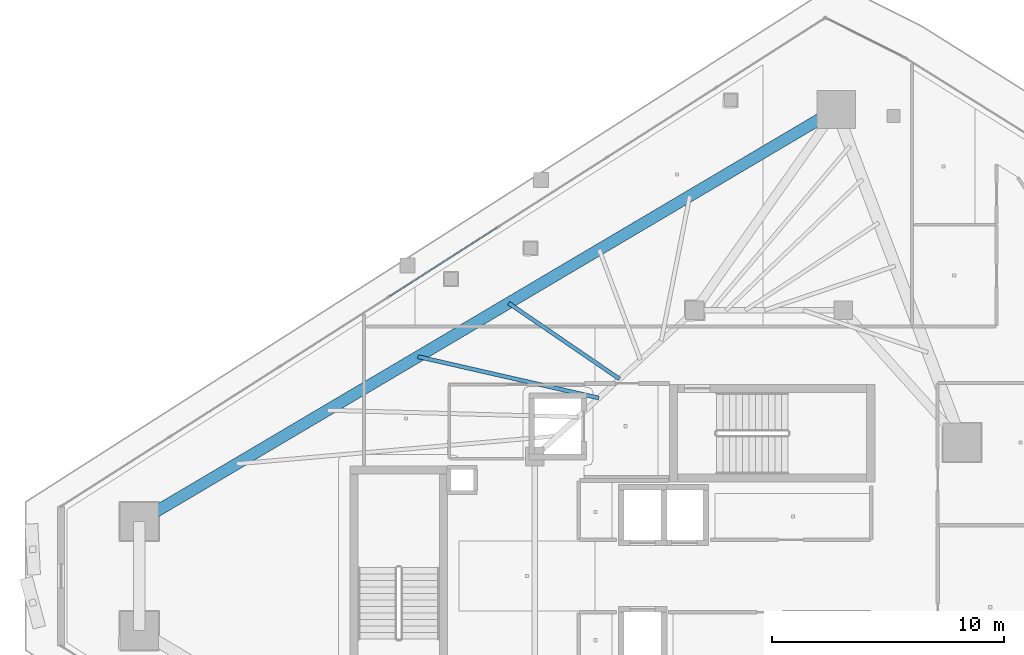
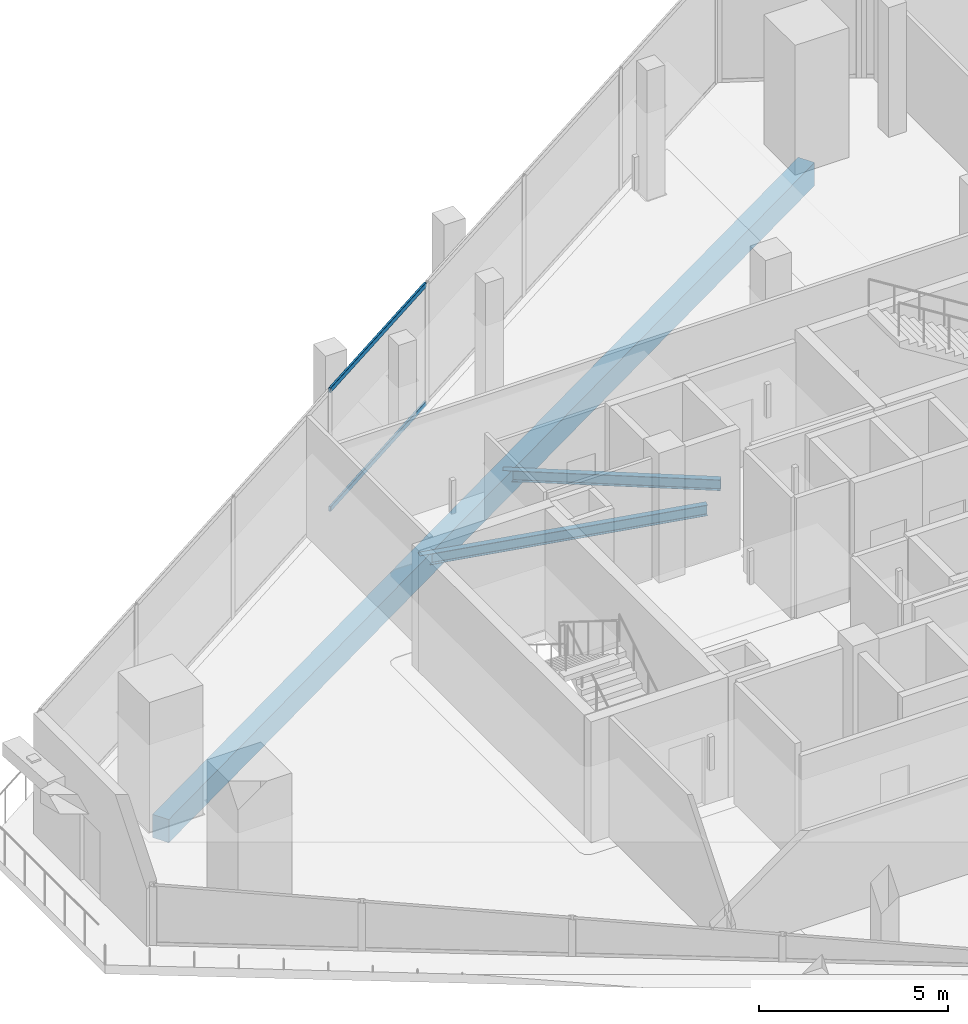
# One storey, part 16 of 34: 3 beams, 2 members, 1 element without a shape of its own.
"""IFC4 building model written with IfcOpenShell, lengths in metres."""

from ifc_helpers import new_model, si_unit, direction, frame, origin, origin_2d, place, context, subcontext, project, spatial, rectangle, hollow_rectangle, i_section, extrude, material, layer, layer_set, material_profile, profile_set, type_object, element, aggregate, save


model = new_model("IFC4")

# Units and contexts
model_context = context("Model", 3, precision=1e-05, world=origin(), true_north=direction((0.0, 1.0)))
body_context = subcontext(model_context, "Body", "Model", "MODEL_VIEW")
ifc_project = project(units=[si_unit("LENGTHUNIT", "METRE"), si_unit("AREAUNIT", "SQUARE_METRE"), si_unit("VOLUMEUNIT", "CUBIC_METRE"), si_unit("PLANEANGLEUNIT", "RADIAN"), si_unit("MASSUNIT", "GRAM", prefix="KILO")], contexts=[model_context])

# Site, building, storey
site_placement = place(None, origin())
site = spatial("IfcSite", under=ifc_project, at=site_placement, CompositionType="ELEMENT")
building_placement = place(site_placement, origin())
building = spatial("IfcBuilding", under=site, at=building_placement, Name="Qorvath Tower", CompositionType="ELEMENT")
storey_placement = place(building_placement, frame((0.0, 0.0, 268.199951171875)))
storey = spatial("IfcBuildingStorey", under=building, at=storey_placement, Name="L62", CompositionType="ELEMENT", Elevation=268.199951171875)

# Beams
ifc_material_1 = material(Name="Steel ASTM A992 Grade 50", Category="steel")
ifc_material_profile_1 = material_profile(ifc_material_1, i_section(OverallWidth=0.1708984375, OverallDepth=0.35107421875, WebThickness=0.0068359375, FlangeThickness=0.009765625, FilletRadius=0.010009765625, at=origin_2d()), Name="W14x30")
ifc_profile_set_1 = profile_set([ifc_material_profile_1], Name="Steel ASTM A992 Grade 50")
beam_type_1 = type_object("IfcBeamType", Name="BM-FJ4", PredefinedType="JOIST", material=ifc_profile_set_1)
beam_1_placement = place(storey_placement, frame((-27.739990234375, 7.669921875, -0.465576171875), z_axis=(-0.974852627195, 0.222850522212, 0.0), x_axis=(-0.222850522212, -0.974852627195, 0.0)))
element("IfcBeam", 1, at=beam_1_placement, inside=storey, type_object=beam_type_1, Name="Composite Floor Joist NW3 L62", PredefinedType="JOIST", context=body_context, shape_type="SweptSolid", body=[
    extrude(i_section(OverallWidth=0.1708984375, OverallDepth=0.35107421875, WebThickness=0.0068359375, FlangeThickness=0.009765625, FilletRadius=0.010009765625, at=origin_2d()), origin(), (0.0, 0.0, 1.0), 7.98974609375),
])
beam_2_placement = place(storey_placement, frame((-26.843017578125, 8.489013671875, -0.465576171875), z_axis=(-0.82557592702, 0.564291049658, 0.0), x_axis=(-0.564291049658, -0.82557592702, 0.0)))
element("IfcBeam", 2, at=beam_2_placement, inside=storey, type_object=beam_type_1, Name="Composite Floor Joist NW4 L62", PredefinedType="JOIST", context=body_context, shape_type="SweptSolid", body=[
    extrude(i_section(OverallWidth=0.1708984375, OverallDepth=0.35107421875, WebThickness=0.0068359375, FlangeThickness=0.009765625, FilletRadius=0.010009765625, at=origin_2d()), origin(), (0.0, 0.0, 1.0), 5.793212890625),
])
ifc_material_2 = material(Name="Concrete C45/55", Category="concrete")
ifc_material_profile_2 = material_profile(ifc_material_2, rectangle(XDim=0.5, YDim=0.75, at=origin_2d()), Name="RCB 750x500")
ifc_profile_set_2 = profile_set([ifc_material_profile_2], Name="Concrete C45/55")
beam_type_2 = type_object("IfcBeamType", Name="BM-RCB3", PredefinedType="SPANDREL", material=ifc_profile_set_2)
beam_3_placement = place(storey_placement, frame((-17.515380859375, 20.1015625, -0.6650390625), z_axis=(-0.860781425392, -0.50897479083, 0.0), x_axis=(0.50897479083, -0.860781425392, 0.0)))
element("IfcBeam", 3, at=beam_3_placement, inside=storey, type_object=beam_type_2, Name="Perimeter Loggia Frame Beam MC6-MC1 L62", PredefinedType="SPANDREL", context=body_context, shape_type="SweptSolid", body=[
    extrude(rectangle(XDim=0.5, YDim=0.75, at=origin_2d()), origin(), (0.0, 0.0, 1.0), 34.8779296875),
])

# Curtain wall, members
ifc_material_3 = material(Name="Anodised aluminium and triple low-E glass", Category="aluminium")
ifc_layer = layer(ifc_material_3, 0.179931640625)
ifc_layer_set = layer_set([ifc_layer], Name="CW-SYS-4")
curtain_wall_type = type_object("IfcCurtainWallType", Name="CW-SYS-4", PredefinedType="NOTDEFINED", material=ifc_layer_set)
curtain_wall_placement = place(storey_placement, origin())
curtain_wall = element("IfcCurtainWall", 4, at=curtain_wall_placement, inside=storey, type_object=curtain_wall_type, Name="Curtain Wall CW-4 CW-T-L62-16.1", PredefinedType="NOTDEFINED")
ifc_material_4 = material(Name="Anodised aluminium 6063-T6", Category="aluminium")
ifc_material_profile_3 = material_profile(ifc_material_4, hollow_rectangle(XDim=0.06494140625, YDim=0.159912109375, WallThickness=0.00341796875, InnerFilletRadius=0.00341796875, OuterFilletRadius=0.007080078125, at=origin_2d()), Name="CWT 160x65")
ifc_profile_set_3 = profile_set([ifc_material_profile_3], Name="Anodised aluminium 6063-T6")
member_type = type_object("IfcMemberType", Name="CWT-160", PredefinedType="USERDEFINED", material=ifc_profile_set_3)
member_1_placement = place(storey_placement, frame((-32.125244140625, 15.009521484375, 0.032470703125), z_axis=(-0.842597346925, -0.538544065935, 0.0), x_axis=(0.538544065935, -0.842597346925, 0.0)))
member_1 = element("IfcMember", 5, at=member_1_placement, type_object=member_type, Name="CW-4 transom 4.1", ObjectType="TRANSOM", PredefinedType="USERDEFINED", context=body_context, shape_type="SweptSolid", body=[
    extrude(hollow_rectangle(XDim=0.06494140625, YDim=0.159912109375, WallThickness=0.00341796875, InnerFilletRadius=0.00341796875, OuterFilletRadius=0.007080078125, at=origin_2d()), origin(), (0.0, 0.0, 1.0), 5.506591796875),
])
member_2_placement = place(storey_placement, frame((-32.125244140625, 15.009521484375, 3.877685546875), z_axis=(-0.842597346925, -0.538544065935, 0.0), x_axis=(0.538544065935, -0.842597346925, 0.0)))
member_2 = element("IfcMember", 6, at=member_2_placement, type_object=member_type, Name="CW-4 transom 4.2", ObjectType="TRANSOM", PredefinedType="USERDEFINED", context=body_context, shape_type="SweptSolid", body=[
    extrude(hollow_rectangle(XDim=0.06494140625, YDim=0.159912109375, WallThickness=0.00341796875, InnerFilletRadius=0.00341796875, OuterFilletRadius=0.007080078125, at=origin_2d()), origin(), (0.0, 0.0, 1.0), 5.506591796875),
])
aggregate(curtain_wall, [member_1, member_2])

save(model, "model.ifc")
